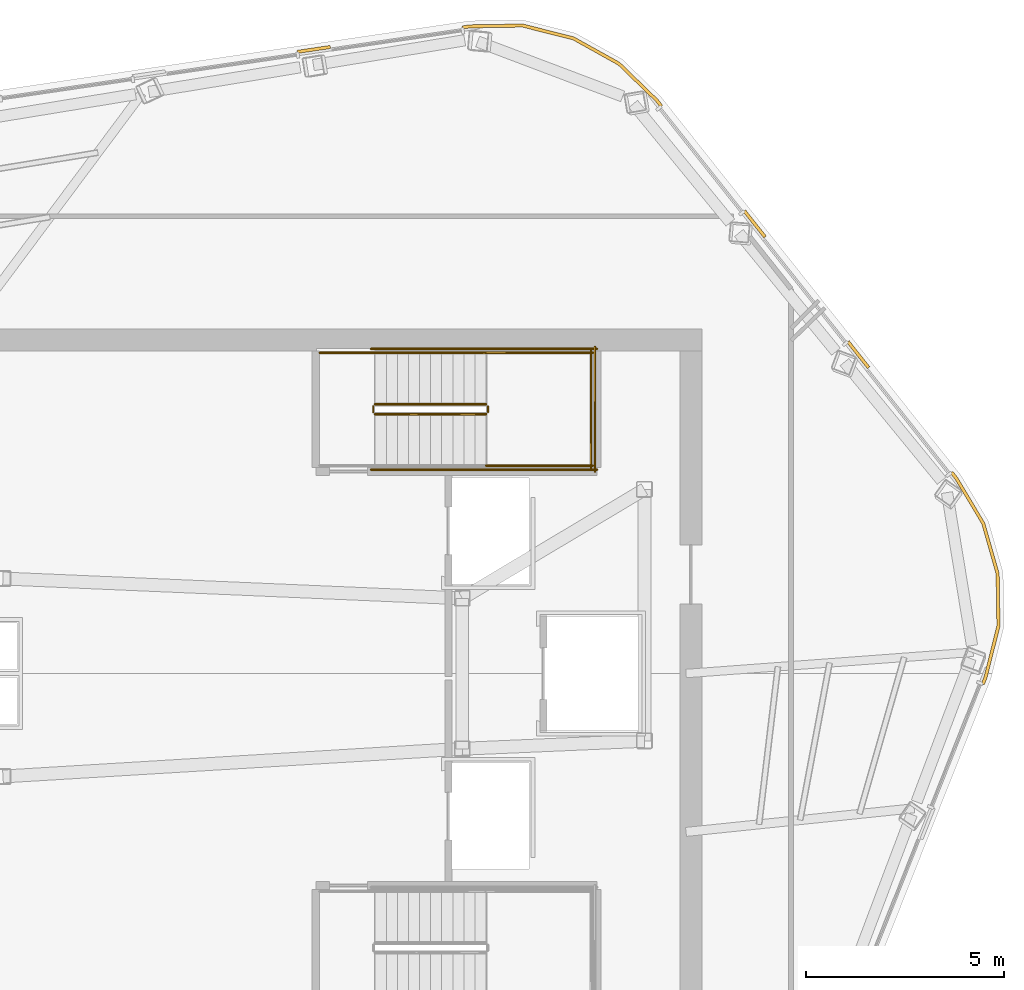
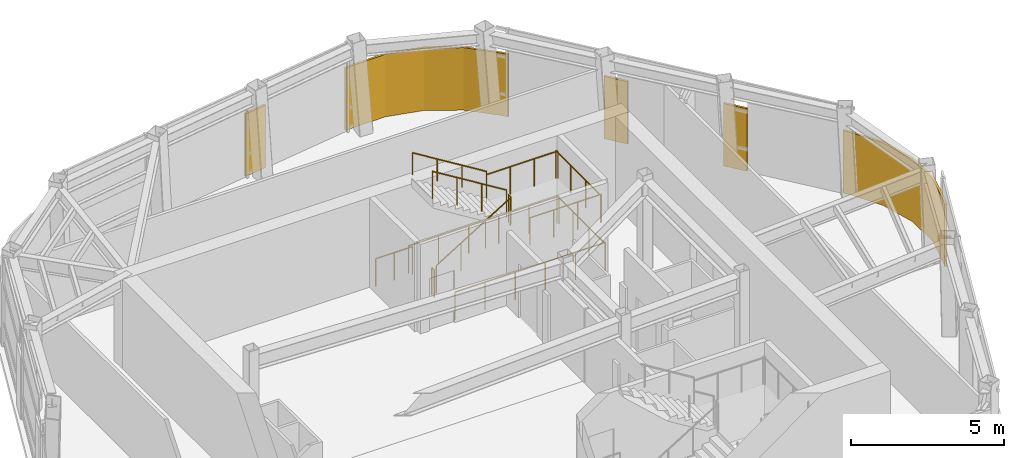
# One storey, part 9 of 9: 12 railings, 5 coverings.
"""IFC4 building model written with IfcOpenShell, lengths in metres."""

from ifc_helpers import new_model, si_unit, direction, frame, origin, origin_2d, place, context, subcontext, project, spatial, polyline, circle, outline, extrude, material, layer, layer_set, type_object, element, save


model = new_model("IFC4")

# Units and contexts
model_context = context("Model", 3, precision=1e-05, world=origin(), true_north=direction((0.0, 1.0)))
body_context = subcontext(model_context, "Body", "Model", "MODEL_VIEW")
ifc_project = project(units=[si_unit("LENGTHUNIT", "METRE"), si_unit("AREAUNIT", "SQUARE_METRE"), si_unit("VOLUMEUNIT", "CUBIC_METRE"), si_unit("PLANEANGLEUNIT", "RADIAN"), si_unit("MASSUNIT", "GRAM", prefix="KILO")], contexts=[model_context])

# Site, building, storey
site_placement = place(None, origin())
site = spatial("IfcSite", under=ifc_project, at=site_placement, CompositionType="ELEMENT")
building_placement = place(site_placement, origin())
building = spatial("IfcBuilding", under=site, at=building_placement, Name="Valkerne Bourse Tower", CompositionType="ELEMENT")
storey_placement = place(building_placement, frame((0.0, 0.0, 319.199951171875)))
storey = spatial("IfcBuildingStorey", under=building, at=storey_placement, Name="L81", CompositionType="ELEMENT", Elevation=319.199951171875)

# Coverings
ifc_material_1 = material(Name="Bronze Anodised Aluminium AA 6063-T6", Category="aluminium")
ifc_layer = layer(ifc_material_1, 0.06005859375)
ifc_layer_set = layer_set([ifc_layer], Name="Bronze Anodised Aluminium AA 6063-T6")
covering_type = type_object("IfcCoveringType", Name="COV-CRN-ALUM", PredefinedType="CLADDING", material=ifc_layer_set)
covering_1_placement = place(storey_placement, origin())
element("IfcCovering", 1, at=covering_1_placement, inside=storey, type_object=covering_type, Name="L81 Wind-Shaped Corner Aluminium Cladding 01", PredefinedType="CLADDING", context=body_context, shape_type="SweptSolid", body=[
    extrude(outline(polyline([(63.54443359375, 30.806640625), (63.9091796875, 29.526611328125), (63.93017578125, 28.195556640625), (63.604248046875, 26.89794921875), (63.533203125, 26.71826171875), (63.458740234375, 26.747802734375), (63.52783203125, 26.922607421875), (63.849853515625, 28.204833984375), (63.829345703125, 29.5146484375), (63.470458984375, 30.774658203125), (62.79150390625, 31.908935546875), (62.6748046875, 32.05615234375), (62.737548828125, 32.10595703125), (62.857421875, 31.95458984375), (63.54443359375, 30.806640625)])), origin(), (0.0, 0.0, 1.0), 2.5),
])
covering_2_placement = place(storey_placement, origin())
element("IfcCovering", 2, at=covering_2_placement, inside=storey, type_object=covering_type, Name="L81 Wind-Shaped Corner Aluminium Cladding 15", PredefinedType="CLADDING", context=body_context, shape_type="SweptSolid", body=[
    extrude(outline(polyline([(47.010986328125, 42.86279296875), (47.022705078125, 42.783447265625), (46.191650390625, 42.660888671875), (46.179931640625, 42.739990234375), (47.010986328125, 42.86279296875)])), origin(), (0.0, 0.0, 1.0), 2.5),
])
covering_3_placement = place(storey_placement, origin())
element("IfcCovering", 3, at=covering_3_placement, inside=storey, type_object=covering_type, Name="L81 Wind-Shaped Corner Aluminium Cladding 16", PredefinedType="CLADDING", context=body_context, shape_type="SweptSolid", body=[
    extrude(outline(polyline([(50.5380859375, 43.383544921875), (51.87548828125, 43.404541015625), (53.16650390625, 43.080078125), (54.329833984375, 42.432861328125), (55.290283203125, 41.501708984375), (55.410400390625, 41.350341796875), (55.34765625, 41.30078125), (55.23095703125, 41.447998046875), (54.28173828125, 42.367919921875), (53.136962890625, 43.005126953125), (51.8662109375, 43.324462890625), (50.54443359375, 43.3037109375), (50.3583984375, 43.276123046875), (50.3466796875, 43.355224609375), (50.5380859375, 43.383544921875)])), origin(), (0.0, 0.0, 1.0), 2.5),
])
covering_4_placement = place(storey_placement, origin())
element("IfcCovering", 4, at=covering_4_placement, inside=storey, type_object=covering_type, Name="L81 Wind-Shaped Corner Aluminium Cladding 17", PredefinedType="CLADDING", context=body_context, shape_type="SweptSolid", body=[
    extrude(outline(polyline([(58.026611328125, 38.049560546875), (57.964111328125, 37.999755859375), (57.4423828125, 38.658203125), (57.5048828125, 38.707763671875), (58.026611328125, 38.049560546875)])), origin(), (0.0, 0.0, 1.0), 2.5),
])
covering_5_placement = place(storey_placement, origin())
element("IfcCovering", 5, at=covering_5_placement, inside=storey, type_object=covering_type, Name="L81 Wind-Shaped Corner Aluminium Cladding 18", PredefinedType="CLADDING", context=body_context, shape_type="SweptSolid", body=[
    extrude(outline(polyline([(60.642822265625, 34.74853515625), (60.580322265625, 34.698974609375), (60.05859375, 35.357177734375), (60.12109375, 35.40673828125), (60.642822265625, 34.74853515625)])), origin(), (0.0, 0.0, 1.0), 2.5),
])

# Railings
ifc_material_2 = material(Name="Galvanised Painted Steel", Category="steel")
railing_type_1 = type_object("IfcRailingType", Name="RLG-ST-GUARD-1120", PredefinedType="GUARDRAIL", material=ifc_material_2)
railing_1_placement = place(storey_placement, frame((48.14990234375, 33.550048828125, 0.1728515625)))
element("IfcRailing", 6, at=railing_1_placement, inside=storey, type_object=railing_type_1, Name="L81 ST-2 stair guard 1", PredefinedType="GUARDRAIL", context=body_context, shape_type="SweptSolid", body=[
    extrude(circle(Radius=0.02392578125, at=origin_2d()), frame((0.0, 0.0, 1.09619140625), z_axis=(0.851089632645, 0.0, 0.525020415988), x_axis=(0.0, 1.0, 0.0)), (0.0, 0.0, 1.0), 3.2900390625),
    extrude(circle(Radius=0.02099609375, at=origin_2d()), origin(), (0.0, 0.0, 1.0), 1.072021484375),
    extrude(circle(Radius=0.02099609375, at=origin_2d()), frame((0.933349609375, 0.0, 0.57568359375)), (0.0, 0.0, 1.0), 1.072021484375),
    extrude(circle(Radius=0.02099609375, at=origin_2d()), frame((1.86669921875, 0.0, 1.151611328125)), (0.0, 0.0, 1.0), 1.072021484375),
    extrude(circle(Radius=0.02099609375, at=origin_2d()), frame((2.800048828125, 0.0, 1.727294921875)), (0.0, 0.0, 1.0), 1.072021484375),
])
railing_2_placement = place(storey_placement, frame((51.0, 33.60009765625, 1.900146484375)))
element("IfcRailing", 7, at=railing_2_placement, inside=storey, type_object=railing_type_1, Name="L81 ST-2 stair guard 2", PredefinedType="GUARDRAIL", context=body_context, shape_type="SweptSolid", body=[
    extrude(circle(Radius=0.02392578125, at=origin_2d()), frame((0.0, 0.0, 1.09619140625), z_axis=(0.0, 1.0, 0.0), x_axis=(-1.0, 0.0, 0.0)), (0.0, 0.0, 1.0), 0.14990234375),
    extrude(circle(Radius=0.02099609375, at=origin_2d()), origin(), (0.0, 0.0, 1.0), 1.072021484375),
    extrude(circle(Radius=0.02099609375, at=origin_2d()), frame((0.0, 0.14990234375, 0.0)), (0.0, 0.0, 1.0), 1.072021484375),
])
for number, where, name in (
    (8, (50.949951171875, 32.25, 1.900146484375), "L81 ST-2 stair guard 3"),
    (9, (50.949951171875, 35.10009765625, 1.900146484375), "L81 ST-2 stair guard 4"),
):
    element("IfcRailing", number, at=place(storey_placement, frame(where)), inside=storey, type_object=railing_type_1, Name=name, PredefinedType="GUARDRAIL", context=body_context, shape_type="SweptSolid", body=[
        extrude(circle(Radius=0.02392578125, at=origin_2d()), frame((0.0, 0.0, 1.09619140625), z_axis=(1.0, 0.0, 0.0), x_axis=(0.0, 1.0, 0.0)), (0.0, 0.0, 1.0), 2.699951171875),
        extrude(circle(Radius=0.02099609375, at=origin_2d()), origin(), (0.0, 0.0, 1.0), 1.072021484375),
        extrude(circle(Radius=0.02099609375, at=origin_2d()), frame((0.89990234375, 0.0, 0.0)), (0.0, 0.0, 1.0), 1.072021484375),
        extrude(circle(Radius=0.02099609375, at=origin_2d()), frame((1.800048828125, 0.0, 0.0)), (0.0, 0.0, 1.0), 1.072021484375),
        extrude(circle(Radius=0.02099609375, at=origin_2d()), frame((2.699951171875, 0.0, 0.0)), (0.0, 0.0, 1.0), 1.072021484375),
    ])
railing_3_placement = place(storey_placement, frame((53.60009765625, 32.199951171875, 1.900146484375)))
element("IfcRailing", 10, at=railing_3_placement, inside=storey, type_object=railing_type_1, Name="L81 ST-2 stair guard 5", PredefinedType="GUARDRAIL", context=body_context, shape_type="SweptSolid", body=[
    extrude(circle(Radius=0.02392578125, at=origin_2d()), frame((0.0, 0.0, 1.09619140625), z_axis=(0.0, 1.0, 0.0), x_axis=(-1.0, 0.0, 0.0)), (0.0, 0.0, 1.0), 2.949951171875),
    extrude(circle(Radius=0.02099609375, at=origin_2d()), origin(), (0.0, 0.0, 1.0), 1.072021484375),
    extrude(circle(Radius=0.02099609375, at=origin_2d()), frame((0.0, 0.9833984375, 0.0)), (0.0, 0.0, 1.0), 1.072021484375),
    extrude(circle(Radius=0.02099609375, at=origin_2d()), frame((0.0, 1.966552734375, 0.0)), (0.0, 0.0, 1.0), 1.072021484375),
    extrude(circle(Radius=0.02099609375, at=origin_2d()), frame((0.0, 2.949951171875, 0.0)), (0.0, 0.0, 1.0), 1.072021484375),
])
railing_4_placement = place(storey_placement, frame((50.949951171875, 33.800048828125, 2.07275390625)))
element("IfcRailing", 11, at=railing_4_placement, inside=storey, type_object=railing_type_1, Name="L81 ST-2 stair guard 6", PredefinedType="GUARDRAIL", context=body_context, shape_type="SweptSolid", body=[
    extrude(circle(Radius=0.02392578125, at=origin_2d()), frame((0.0, 0.0, 1.09619140625), z_axis=(-0.851089632645, 0.0, 0.525020415988), x_axis=(0.0, -1.0, 0.0)), (0.0, 0.0, 1.0), 3.2900390625),
    extrude(circle(Radius=0.02099609375, at=origin_2d()), origin(), (0.0, 0.0, 1.0), 1.072021484375),
    extrude(circle(Radius=0.02099609375, at=origin_2d()), frame((-0.933349609375, 0.0, 0.57568359375)), (0.0, 0.0, 1.0), 1.072021484375),
    extrude(circle(Radius=0.02099609375, at=origin_2d()), frame((-1.86669921875, 0.0, 1.151611328125)), (0.0, 0.0, 1.0), 1.072021484375),
    extrude(circle(Radius=0.02099609375, at=origin_2d()), frame((-2.800048828125, 0.0, 1.727294921875)), (0.0, 0.0, 1.0), 1.072021484375),
])
railing_5_placement = place(storey_placement, frame((48.10009765625, 33.60009765625, 0.0)))
element("IfcRailing", 12, at=railing_5_placement, inside=storey, type_object=railing_type_1, Name="L81 ST-2 stair guard 7", PredefinedType="GUARDRAIL", context=body_context, shape_type="SweptSolid", body=[
    extrude(circle(Radius=0.02392578125, at=origin_2d()), frame((0.0, 0.0, 1.09619140625), z_axis=(0.0, 1.0, 0.0), x_axis=(-1.0, 0.0, 0.0)), (0.0, 0.0, 1.0), 0.14990234375),
    extrude(circle(Radius=0.02099609375, at=origin_2d()), origin(), (0.0, 0.0, 1.0), 1.072021484375),
    extrude(circle(Radius=0.02099609375, at=origin_2d()), frame((0.0, 0.14990234375, 0.0)), (0.0, 0.0, 1.0), 1.072021484375),
])
railing_6_placement = place(storey_placement, frame((46.75, 35.10009765625, 0.0)))
element("IfcRailing", 13, at=railing_6_placement, inside=storey, type_object=railing_type_1, Name="L81 ST-2 stair guard 9", PredefinedType="GUARDRAIL", context=body_context, shape_type="SweptSolid", body=[
    extrude(circle(Radius=0.02392578125, at=origin_2d()), frame((0.0, 0.0, 1.09619140625), z_axis=(1.0, 0.0, 0.0), x_axis=(0.0, 1.0, 0.0)), (0.0, 0.0, 1.0), 1.39990234375),
    extrude(circle(Radius=0.02099609375, at=origin_2d()), origin(), (0.0, 0.0, 1.0), 1.072021484375),
    extrude(circle(Radius=0.02099609375, at=origin_2d()), frame((0.699951171875, 0.0, 0.0)), (0.0, 0.0, 1.0), 1.072021484375),
    extrude(circle(Radius=0.02099609375, at=origin_2d()), frame((1.39990234375, 0.0, 0.0)), (0.0, 0.0, 1.0), 1.072021484375),
])
for number, where, name in (
    (14, (48.050048828125, 32.14990234375, 0.0), "L81 ST-2 stair guard 10"),
    (15, (48.050048828125, 35.199951171875, 0.0), "L81 ST-2 stair guard 11"),
):
    element("IfcRailing", number, at=place(storey_placement, frame(where)), inside=storey, type_object=railing_type_1, Name=name, PredefinedType="GUARDRAIL", context=body_context, shape_type="SweptSolid", body=[
        extrude(circle(Radius=0.02392578125, at=origin_2d()), frame((0.0, 0.0, 1.09619140625), z_axis=(1.0, 0.0, 0.0), x_axis=(0.0, 1.0, 0.0)), (0.0, 0.0, 1.0), 5.699951171875),
        extrude(circle(Radius=0.02099609375, at=origin_2d()), origin(), (0.0, 0.0, 1.0), 1.072021484375),
        extrude(circle(Radius=0.02099609375, at=origin_2d()), frame((1.139892578125, 0.0, 0.0)), (0.0, 0.0, 1.0), 1.072021484375),
        extrude(circle(Radius=0.02099609375, at=origin_2d()), frame((2.280029296875, 0.0, 0.0)), (0.0, 0.0, 1.0), 1.072021484375),
        extrude(circle(Radius=0.02099609375, at=origin_2d()), frame((3.419921875, 0.0, 0.0)), (0.0, 0.0, 1.0), 1.072021484375),
        extrude(circle(Radius=0.02099609375, at=origin_2d()), frame((4.56005859375, 0.0, 0.0)), (0.0, 0.0, 1.0), 1.072021484375),
        extrude(circle(Radius=0.02099609375, at=origin_2d()), frame((5.699951171875, 0.0, 0.0)), (0.0, 0.0, 1.0), 1.072021484375),
    ])
railing_7_placement = place(storey_placement, frame((53.699951171875, 32.10009765625, 0.0)))
element("IfcRailing", 16, at=railing_7_placement, inside=storey, type_object=railing_type_1, Name="L81 ST-2 stair guard 12", PredefinedType="GUARDRAIL", context=body_context, shape_type="SweptSolid", body=[
    extrude(circle(Radius=0.02392578125, at=origin_2d()), frame((0.0, 0.0, 1.09619140625), z_axis=(0.0, 1.0, 0.0), x_axis=(-1.0, 0.0, 0.0)), (0.0, 0.0, 1.0), 3.14990234375),
    extrude(circle(Radius=0.02099609375, at=origin_2d()), origin(), (0.0, 0.0, 1.0), 1.072021484375),
    extrude(circle(Radius=0.02099609375, at=origin_2d()), frame((0.0, 1.050048828125, 0.0)), (0.0, 0.0, 1.0), 1.072021484375),
    extrude(circle(Radius=0.02099609375, at=origin_2d()), frame((0.0, 2.099853515625, 0.0)), (0.0, 0.0, 1.0), 1.072021484375),
    extrude(circle(Radius=0.02099609375, at=origin_2d()), frame((0.0, 3.14990234375, 0.0)), (0.0, 0.0, 1.0), 1.072021484375),
])
ifc_material_3 = material(Name="Stainless Steel AISI 316", Category="steel")
railing_type_2 = type_object("IfcRailingType", Name="RLG-ST-HANDRAIL-900", PredefinedType="HANDRAIL", material=ifc_material_3)
railing_8_placement = place(storey_placement, frame((50.949951171875, 35.10009765625, 2.24560546875)))
element("IfcRailing", 17, at=railing_8_placement, inside=storey, type_object=railing_type_2, Name="L81 ST-2 stair handrail 2", PredefinedType="HANDRAIL", context=body_context, shape_type="SweptSolid", body=[
    extrude(circle(Radius=0.02392578125, at=origin_2d()), frame((0.0, 0.0, 0.8759765625), z_axis=(-0.851122791225, 0.0, 0.524966660138), x_axis=(0.0, -1.0, 0.0)), (0.0, 0.0, 1.0), 3.289794921875),
    extrude(circle(Radius=0.02099609375, at=origin_2d()), origin(), (0.0, 0.0, 1.0), 0.851806640625),
    extrude(circle(Radius=0.02099609375, at=origin_2d()), frame((-0.933349609375, 0.0, 0.57568359375)), (0.0, 0.0, 1.0), 0.851806640625),
    extrude(circle(Radius=0.02099609375, at=origin_2d()), frame((-1.86669921875, 0.0, 1.1513671875)), (0.0, 0.0, 1.0), 0.851806640625),
    extrude(circle(Radius=0.02099609375, at=origin_2d()), frame((-2.800048828125, 0.0, 1.72705078125)), (0.0, 0.0, 1.0), 0.851806640625),
])

save(model, "model.ifc")
